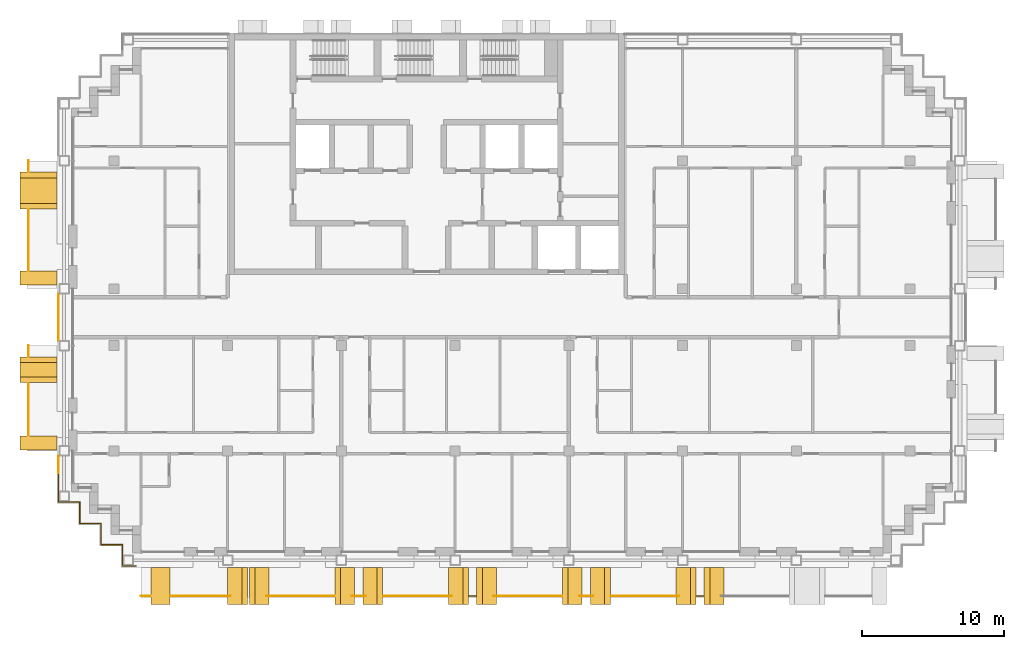
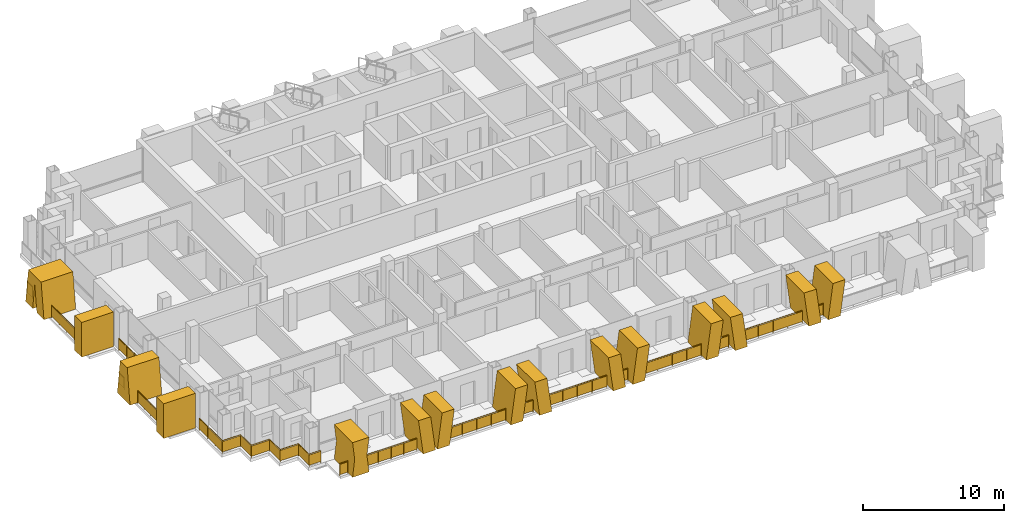
# One storey, part 13 of 16: 17 railings, 15 shading devices.
"""IFC4 building model written with IfcOpenShell, lengths in metres."""

import ifcopenshell
import ifcopenshell.guid

model = None  # the IFC model being written
_history = None  # IfcOwnerHistory: only IFC2X3 demands one
_inside = {}  # id of a spatial element -> (the spatial element, [elements in it])
_under = {}  # id of a project, library or spatial element -> (it, [spatial elements below it])
_declared = {}  # id of a project -> (the project, [libraries it declares])
_typed = {}  # id of a type object -> (the type object, [elements of that type])
_made_of = {}  # id of a material, layer set ... -> (it, [elements and type objects made of it])


def new_model(schema):
    """Start an empty IFC model of exactly this schema.

    Asked for "IFC4X3", IfcOpenShell would pick the latest addendum, in which some entities
    have other attributes; the version numbers below select the first issue.
    IFC2X3 requires an IfcOwnerHistory on every rooted entity: one is made here for all.
    """
    global model, _history
    if schema == "IFC4X3":
        model = ifcopenshell.file(schema_version=(4, 3, 0, 0))
    else:
        model = ifcopenshell.file(schema=schema)
    _inside.clear()
    _under.clear()
    _declared.clear()
    _typed.clear()
    _made_of.clear()
    _history = None
    if model.schema == "IFC2X3":
        org = make("IfcOrganization", Name="unknown")
        user = make(
            "IfcPersonAndOrganization",
            ThePerson=make("IfcPerson", FamilyName="unknown"),
            TheOrganization=org,
        )
        app = make(
            "IfcApplication",
            ApplicationDeveloper=org,
            Version="unknown",
            ApplicationFullName="unknown",
            ApplicationIdentifier="unknown",
        )
        _history = make(
            "IfcOwnerHistory",
            OwningUser=user,
            OwningApplication=app,
            ChangeAction="ADDED",
            CreationDate=0,
        )
    return model


def make(cls, **values):
    """One entity of the class cls with the attributes given. An attribute that is None is left unset."""
    return model.create_entity(
        cls, **{name: value for name, value in values.items() if value is not None}
    )


def rooted(cls, **values):
    """An entity with a GlobalId (a new one), such as an element, a storey or a relation."""
    return make(cls, GlobalId=ifcopenshell.guid.new(), OwnerHistory=_history, **values)


def si_unit(unit_type, name, prefix=None):
    """IfcSIUnit, for example si_unit("LENGTHUNIT", "METRE", prefix="MILLI")."""
    return make("IfcSIUnit", UnitType=unit_type, Prefix=prefix, Name=name)


def assignment(units):
    """IfcUnitAssignment: the units of a project."""
    return None if units is None else make("IfcUnitAssignment", Units=units)


def point(xyz):
    """IfcCartesianPoint."""
    return None if xyz is None else make("IfcCartesianPoint", Coordinates=xyz)


def direction(xyz):
    """IfcDirection."""
    return None if xyz is None else make("IfcDirection", DirectionRatios=xyz)


def frame(location, z_axis=None, x_axis=None):
    """IfcAxis2Placement3D, a coordinate frame: its origin and axes. An axis left out is left unset."""
    return make(
        "IfcAxis2Placement3D",
        Location=point(location),
        Axis=direction(z_axis),
        RefDirection=direction(x_axis),
    )


def frame_2d(location, x_axis=None):
    """IfcAxis2Placement2D, a coordinate frame in the plane: its origin and x axis."""
    return make(
        "IfcAxis2Placement2D", Location=point(location), RefDirection=direction(x_axis)
    )


def origin():
    """The frame at (0, 0, 0) with its axes left unset."""
    return frame((0.0, 0.0, 0.0))


def origin_2d():
    """The frame at (0, 0) in the plane with its x axis left unset."""
    return frame_2d((0.0, 0.0))


def place(relative_to, where):
    """IfcLocalPlacement: puts the frame where relative to a parent placement (None: the world)."""
    return make(
        "IfcLocalPlacement", PlacementRelTo=relative_to, RelativePlacement=where
    )


def context(
    kind, dimensions, precision=None, world=None, true_north=None, identifier=None
):
    """IfcGeometricRepresentationContext, for example the 3D "Model" context."""
    return make(
        "IfcGeometricRepresentationContext",
        ContextIdentifier=identifier,
        ContextType=kind,
        CoordinateSpaceDimension=dimensions,
        Precision=precision,
        WorldCoordinateSystem=world,
        TrueNorth=true_north,
    )


def subcontext(parent, identifier, kind, view, scale=None):
    """IfcGeometricRepresentationSubContext, for example "Body" below "Model"."""
    return make(
        "IfcGeometricRepresentationSubContext",
        ContextIdentifier=identifier,
        ContextType=kind,
        ParentContext=parent,
        TargetScale=scale,
        TargetView=view,
    )


def project(units=None, contexts=None):
    """IfcProject with its units and contexts."""
    return rooted(
        "IfcProject",
        Name="project",
        RepresentationContexts=contexts,
        UnitsInContext=assignment(units),
    )


def spatial(cls, under=None, at=None, **own):
    """A site, building, storey or space (cls), placed at a placement, below another one or the project."""
    s = rooted(cls, ObjectPlacement=at, **own)
    if under is not None:
        _under.setdefault(under.id(), (under, []))[1].append(s)
    return s


def polyline(points):
    """IfcPolyline through the points."""
    return make("IfcPolyline", Points=[point(p) for p in points])


def profile(cls, at=None, kind="AREA", **sizes):
    """A parametric profile (cls). Its sizes go by their IFC names, for example OverallWidth=200.0."""
    return make(cls, ProfileType=kind, Position=at, **sizes)


def rectangle(**sizes):
    """IfcRectangleProfileDef."""
    return profile("IfcRectangleProfileDef", **sizes)


def circle(**sizes):
    """IfcCircleProfileDef."""
    return profile("IfcCircleProfileDef", **sizes)


def outline(outer, holes=None, kind="AREA"):
    """IfcArbitraryClosedProfileDef: a profile drawn as a closed curve; with holes, ...WithVoids."""
    if holes is None:
        return make("IfcArbitraryClosedProfileDef", ProfileType=kind, OuterCurve=outer)
    return make(
        "IfcArbitraryProfileDefWithVoids",
        ProfileType=kind,
        OuterCurve=outer,
        InnerCurves=holes,
    )


def extrude(swept, where, along, depth):
    """IfcExtrudedAreaSolid: the profile swept, set in the frame where, extruded along a direction by depth."""
    return make(
        "IfcExtrudedAreaSolid",
        SweptArea=swept,
        Position=where,
        ExtrudedDirection=direction(along),
        Depth=depth,
    )


def shape(context_of_items, identifier, shape_type, items):
    """IfcShapeRepresentation: the items that make up one representation, for example the "Body"."""
    return make(
        "IfcShapeRepresentation",
        ContextOfItems=context_of_items,
        RepresentationIdentifier=identifier,
        RepresentationType=shape_type,
        Items=items,
    )


def material(Name=None, Category=None):
    """IfcMaterial."""
    return make("IfcMaterial", Name=Name, Category=Category)


def layer(
    of_material, thickness, ventilated=None, Name=None, Category=None, Priority=None
):
    """IfcMaterialLayer: one layer of a wall or slab, of a material (None: an air gap)."""
    return make(
        "IfcMaterialLayer",
        Material=of_material,
        LayerThickness=thickness,
        IsVentilated=ventilated,
        Name=Name,
        Category=Category,
        Priority=Priority,
    )


def layer_set(layers, Name=None):
    """IfcMaterialLayerSet."""
    return make("IfcMaterialLayerSet", MaterialLayers=layers, LayerSetName=Name)


def made_of(thing, what):
    """Note that an element or type object is made of a material, layer set ...; save() writes the relation."""
    if what is not None:
        _made_of.setdefault(what.id(), (what, []))[1].append(thing)
    return thing


def type_object(cls, material=None, **own):
    """A type object (cls), such as IfcWallType, which elements share."""
    return made_of(rooted(cls, **own), material)


def element(
    cls,
    number,
    at=None,
    inside=None,
    cuts=None,
    type_object=None,
    material=None,
    context=None,
    identifier="Body",
    shape_type=None,
    held_by="IfcProductDefinitionShape",
    body=None,
    shapes=None,
    **own,
):
    """One element of the class cls, such as IfcWall. Its Tag is "e" and its number.

    at: its placement. inside: the storey or other place that contains it. cuts: it is an
    opening in that element (IfcRelVoidsElement). A single representation is given by context,
    identifier, shape_type and body (its items); several are given by shapes. held_by: the class
    of the entity that holds the representations. save() writes the other relations.
    """
    e = rooted(cls, Tag="e%d" % number, ObjectPlacement=at, **own)
    if body is not None:
        shapes = [shape(context, identifier, shape_type, body)]
    if shapes is not None:
        e.Representation = make(held_by, Representations=shapes)
    if inside is not None:
        _inside.setdefault(inside.id(), (inside, []))[1].append(e)
    if cuts is not None:
        rooted(
            "IfcRelVoidsElement", RelatingBuildingElement=cuts, RelatedOpeningElement=e
        )
    if type_object is not None:
        _typed.setdefault(type_object.id(), (type_object, []))[1].append(e)
    return made_of(e, material)


def aggregate(whole, parts):
    """IfcRelAggregates: a whole, such as a stair, and the parts it consists of."""
    return rooted("IfcRelAggregates", RelatingObject=whole, RelatedObjects=parts)


def save(model, path):
    """Write the relations noted so far, then the file.

    IfcRelAggregates (storeys below a building ...), IfcRelContainedInSpatialStructure (elements
    in a storey), IfcRelDefinesByType, IfcRelAssociatesMaterial and IfcRelDeclares: one each for
    every whole, place, type object, material and project.
    """
    for whole, parts in _under.values():
        aggregate(whole, parts)
    for where, things in _inside.values():
        rooted(
            "IfcRelContainedInSpatialStructure",
            RelatedElements=things,
            RelatingStructure=where,
        )
    for kind, things in _typed.values():
        rooted("IfcRelDefinesByType", RelatedObjects=things, RelatingType=kind)
    for what, things in _made_of.values():
        rooted("IfcRelAssociatesMaterial", RelatedObjects=things, RelatingMaterial=what)
    for by, libraries in _declared.values():
        rooted("IfcRelDeclares", RelatingContext=by, RelatedDefinitions=libraries)
    model.write(path)


model = new_model("IFC4")

# Units and contexts
model_context = context("Model", 3, precision=1e-05, world=origin(), true_north=direction((0.0, 1.0)))
body_context = subcontext(model_context, "Body", "Model", "MODEL_VIEW")
ifc_project = project(units=[si_unit("LENGTHUNIT", "METRE"), si_unit("AREAUNIT", "SQUARE_METRE"), si_unit("VOLUMEUNIT", "CUBIC_METRE"), si_unit("PLANEANGLEUNIT", "RADIAN"), si_unit("MASSUNIT", "GRAM", prefix="KILO")], contexts=[model_context])

# Site, building, storey
site_placement = place(None, origin())
site = spatial("IfcSite", under=ifc_project, at=site_placement, CompositionType="ELEMENT")
building_placement = place(site_placement, origin())
building = spatial("IfcBuilding", under=site, at=building_placement, Name="Vidyagriha Tower", CompositionType="ELEMENT")
storey_placement = place(building_placement, frame((0.0, 0.0, 171.699951171875)))
storey = spatial("IfcBuildingStorey", under=building, at=storey_placement, Name="L44", CompositionType="ELEMENT", Elevation=171.699951171875)

# Railings
ifc_material_1 = material(Name="Steel ASTM A500 Grade C black painted", Category="steel")
railing_type_1 = type_object("IfcRailingType", Name="Balcony guard 1100", PredefinedType="BALUSTRADE", material=ifc_material_1)
railing_1_placement = place(storey_placement, frame((-28.0, 11.0, 0.0)))
element("IfcRailing", 1, at=railing_1_placement, inside=storey, type_object=railing_type_1, Name="Balcony guard L44 R16.1-1", PredefinedType="BALUSTRADE", context=body_context, shape_type="SweptSolid", body=[
    extrude(circle(Radius=0.02490234375, at=origin_2d()), frame((0.0, 0.0, 1.0751953125), z_axis=(0.0, -1.0, 0.0), x_axis=(1.0, 0.0, 0.0)), (0.0, 0.0, 1.0), 0.75),
    extrude(circle(Radius=0.02001953125, at=origin_2d()), origin(), (0.0, 0.0, 1.0), 1.050048828125),
    extrude(circle(Radius=0.02001953125, at=origin_2d()), frame((0.0, -0.75, 0.0)), (0.0, 0.0, 1.0), 1.050048828125),
    extrude(rectangle(XDim=0.010009765625, YDim=0.900146484375, at=origin_2d()), frame((0.0, 0.0, 0.550048828125), z_axis=(0.0, -1.0, 0.0), x_axis=(1.0, 0.0, 0.0)), (0.0, 0.0, 1.0), 0.75),
])
railing_2_placement = place(storey_placement, frame((-28.0, 7.550048828125, 0.0)))
element("IfcRailing", 2, at=railing_2_placement, inside=storey, type_object=railing_type_1, Name="Balcony guard L44 R16.1-2", PredefinedType="BALUSTRADE", context=body_context, shape_type="SweptSolid", body=[
    extrude(circle(Radius=0.02490234375, at=origin_2d()), frame((0.0, 0.0, 1.0751953125), z_axis=(0.0, -1.0, 0.0), x_axis=(1.0, 0.0, 0.0)), (0.0, 0.0, 1.0), 4.25),
    extrude(circle(Radius=0.02001953125, at=origin_2d()), origin(), (0.0, 0.0, 1.0), 1.050048828125),
    extrude(circle(Radius=0.02001953125, at=origin_2d()), frame((0.0, -1.0625, 0.0)), (0.0, 0.0, 1.0), 1.050048828125),
    extrude(circle(Radius=0.02001953125, at=origin_2d()), frame((0.0, -2.125, 0.0)), (0.0, 0.0, 1.0), 1.050048828125),
    extrude(circle(Radius=0.02001953125, at=origin_2d()), frame((0.0, -3.1875, 0.0)), (0.0, 0.0, 1.0), 1.050048828125),
    extrude(circle(Radius=0.02001953125, at=origin_2d()), frame((0.0, -4.25, 0.0)), (0.0, 0.0, 1.0), 1.050048828125),
    extrude(rectangle(XDim=0.010009765625, YDim=0.900146484375, at=origin_2d()), frame((0.0, 0.0, 0.550048828125), z_axis=(0.0, -1.0, 0.0), x_axis=(1.0, 0.0, 0.0)), (0.0, 0.0, 1.0), 4.25),
])
railing_3_placement = place(storey_placement, frame((-28.0, -2.0, 0.0)))
element("IfcRailing", 3, at=railing_3_placement, inside=storey, type_object=railing_type_1, Name="Balcony guard L44 R16.2-1", PredefinedType="BALUSTRADE", context=body_context, shape_type="SweptSolid", body=[
    extrude(circle(Radius=0.02490234375, at=origin_2d()), frame((0.0, 0.0, 1.0751953125), z_axis=(0.0, -1.0, 0.0), x_axis=(1.0, 0.0, 0.0)), (0.0, 0.0, 1.0), 0.75),
    extrude(circle(Radius=0.02001953125, at=origin_2d()), origin(), (0.0, 0.0, 1.0), 1.050048828125),
    extrude(circle(Radius=0.02001953125, at=origin_2d()), frame((0.0, -0.75, 0.0)), (0.0, 0.0, 1.0), 1.050048828125),
    extrude(rectangle(XDim=0.010009765625, YDim=0.900146484375, at=origin_2d()), frame((0.0, 0.0, 0.550048828125), z_axis=(0.0, -1.0, 0.0), x_axis=(1.0, 0.0, 0.0)), (0.0, 0.0, 1.0), 0.75),
])
railing_4_placement = place(storey_placement, frame((-28.0, -4.64990234375, 0.0)))
element("IfcRailing", 4, at=railing_4_placement, inside=storey, type_object=railing_type_1, Name="Balcony guard L44 R16.2-2", PredefinedType="BALUSTRADE", context=body_context, shape_type="SweptSolid", body=[
    extrude(circle(Radius=0.02490234375, at=origin_2d()), frame((0.0, 0.0, 1.0751953125), z_axis=(0.0, -1.0, 0.0), x_axis=(1.0, 0.0, 0.0)), (0.0, 0.0, 1.0), 3.650146484375),
    extrude(circle(Radius=0.02001953125, at=origin_2d()), origin(), (0.0, 0.0, 1.0), 1.050048828125),
    extrude(circle(Radius=0.02001953125, at=origin_2d()), frame((0.0, -0.91259765625, 0.0)), (0.0, 0.0, 1.0), 1.050048828125),
    extrude(circle(Radius=0.02001953125, at=origin_2d()), frame((0.0, -1.8251953125, 0.0)), (0.0, 0.0, 1.0), 1.050048828125),
    extrude(circle(Radius=0.02001953125, at=origin_2d()), frame((0.0, -2.737548828125, 0.0)), (0.0, 0.0, 1.0), 1.050048828125),
    extrude(circle(Radius=0.02001953125, at=origin_2d()), frame((0.0, -3.650146484375, 0.0)), (0.0, 0.0, 1.0), 1.050048828125),
    extrude(rectangle(XDim=0.010009765625, YDim=0.900146484375, at=origin_2d()), frame((0.0, 0.0, 0.550048828125), z_axis=(0.0, -1.0, 0.0), x_axis=(1.0, 0.0, 0.0)), (0.0, 0.0, 1.0), 3.650146484375),
])
railing_5_placement = place(storey_placement, frame((-20.10009765625, -19.60009765625, 0.0)))
element("IfcRailing", 5, at=railing_5_placement, inside=storey, type_object=railing_type_1, Name="Balcony guard L44 R23.1-1", PredefinedType="BALUSTRADE", context=body_context, shape_type="SweptSolid", body=[
    extrude(circle(Radius=0.02490234375, at=origin_2d()), frame((0.0, 0.0, 1.0751953125), z_axis=(1.0, 0.0, 0.0), x_axis=(0.0, 1.0, 0.0)), (0.0, 0.0, 1.0), 0.650146484375),
    extrude(circle(Radius=0.02001953125, at=origin_2d()), origin(), (0.0, 0.0, 1.0), 1.050048828125),
    extrude(circle(Radius=0.02001953125, at=origin_2d()), frame((0.650146484375, 0.0, 0.0)), (0.0, 0.0, 1.0), 1.050048828125),
    extrude(rectangle(XDim=0.010009765625, YDim=0.900146484375, at=origin_2d()), frame((0.0, 0.0, 0.550048828125), z_axis=(1.0, 0.0, 0.0), x_axis=(0.0, 1.0, 0.0)), (0.0, 0.0, 1.0), 0.650146484375),
])
railing_6_placement = place(storey_placement, frame((-18.0, -19.60009765625, 0.0)))
element("IfcRailing", 6, at=railing_6_placement, inside=storey, type_object=railing_type_1, Name="Balcony guard L44 R23.1-2", PredefinedType="BALUSTRADE", context=body_context, shape_type="SweptSolid", body=[
    extrude(circle(Radius=0.02490234375, at=origin_2d()), frame((0.0, 0.0, 1.0751953125), z_axis=(1.0, 0.0, 0.0), x_axis=(0.0, 1.0, 0.0)), (0.0, 0.0, 1.0), 4.185302734375),
    extrude(circle(Radius=0.02001953125, at=origin_2d()), origin(), (0.0, 0.0, 1.0), 1.050048828125),
    extrude(circle(Radius=0.02001953125, at=origin_2d()), frame((1.04638671875, 0.0, 0.0)), (0.0, 0.0, 1.0), 1.050048828125),
    extrude(circle(Radius=0.02001953125, at=origin_2d()), frame((2.0927734375, 0.0, 0.0)), (0.0, 0.0, 1.0), 1.050048828125),
    extrude(circle(Radius=0.02001953125, at=origin_2d()), frame((3.138916015625, 0.0, 0.0)), (0.0, 0.0, 1.0), 1.050048828125),
    extrude(circle(Radius=0.02001953125, at=origin_2d()), frame((4.185302734375, 0.0, 0.0)), (0.0, 0.0, 1.0), 1.050048828125),
    extrude(rectangle(XDim=0.010009765625, YDim=0.900146484375, at=origin_2d()), frame((0.0, 0.0, 0.550048828125), z_axis=(1.0, 0.0, 0.0), x_axis=(0.0, 1.0, 0.0)), (0.0, 0.0, 1.0), 4.185302734375),
])
railing_7_placement = place(storey_placement, frame((-11.26025390625, -19.60009765625, 0.0)))
element("IfcRailing", 7, at=railing_7_placement, inside=storey, type_object=railing_type_1, Name="Balcony guard L44 R23.1-3", PredefinedType="BALUSTRADE", context=body_context, shape_type="SweptSolid", body=[
    extrude(circle(Radius=0.02490234375, at=origin_2d()), frame((0.0, 0.0, 1.0751953125), z_axis=(1.0, 0.0, 0.0), x_axis=(0.0, 1.0, 0.0)), (0.0, 0.0, 1.0), 4.750244140625),
    extrude(circle(Radius=0.02001953125, at=origin_2d()), origin(), (0.0, 0.0, 1.0), 1.050048828125),
    extrude(circle(Radius=0.02001953125, at=origin_2d()), frame((1.1875, 0.0, 0.0)), (0.0, 0.0, 1.0), 1.050048828125),
    extrude(circle(Radius=0.02001953125, at=origin_2d()), frame((2.375, 0.0, 0.0)), (0.0, 0.0, 1.0), 1.050048828125),
    extrude(circle(Radius=0.02001953125, at=origin_2d()), frame((3.562744140625, 0.0, 0.0)), (0.0, 0.0, 1.0), 1.050048828125),
    extrude(circle(Radius=0.02001953125, at=origin_2d()), frame((4.750244140625, 0.0, 0.0)), (0.0, 0.0, 1.0), 1.050048828125),
    extrude(rectangle(XDim=0.010009765625, YDim=0.900146484375, at=origin_2d()), frame((0.0, 0.0, 0.550048828125), z_axis=(1.0, 0.0, 0.0), x_axis=(0.0, 1.0, 0.0)), (0.0, 0.0, 1.0), 4.750244140625),
])
railing_8_placement = place(storey_placement, frame((-5.258544921875, -19.60009765625, 0.0)))
element("IfcRailing", 8, at=railing_8_placement, inside=storey, type_object=railing_type_1, Name="Balcony guard L44 R23.1-4", PredefinedType="BALUSTRADE", context=body_context, shape_type="SweptSolid", body=[
    extrude(circle(Radius=0.02490234375, at=origin_2d()), frame((0.0, 0.0, 1.0751953125), z_axis=(1.0, 0.0, 0.0), x_axis=(0.0, 1.0, 0.0)), (0.0, 0.0, 1.0), 0.967041015625),
    extrude(circle(Radius=0.02001953125, at=origin_2d()), origin(), (0.0, 0.0, 1.0), 1.050048828125),
    extrude(circle(Radius=0.02001953125, at=origin_2d()), frame((0.967041015625, 0.0, 0.0)), (0.0, 0.0, 1.0), 1.050048828125),
    extrude(rectangle(XDim=0.010009765625, YDim=0.900146484375, at=origin_2d()), frame((0.0, 0.0, 0.550048828125), z_axis=(1.0, 0.0, 0.0), x_axis=(0.0, 1.0, 0.0)), (0.0, 0.0, 1.0), 0.967041015625),
])
railing_9_placement = place(storey_placement, frame((-3.0400390625, -19.60009765625, 0.0)))
element("IfcRailing", 9, at=railing_9_placement, inside=storey, type_object=railing_type_1, Name="Balcony guard L44 R23.1-5", PredefinedType="BALUSTRADE", context=body_context, shape_type="SweptSolid", body=[
    extrude(circle(Radius=0.02490234375, at=origin_2d()), frame((0.0, 0.0, 1.0751953125), z_axis=(1.0, 0.0, 0.0), x_axis=(0.0, 1.0, 0.0)), (0.0, 0.0, 1.0), 4.773681640625),
    extrude(circle(Radius=0.02001953125, at=origin_2d()), origin(), (0.0, 0.0, 1.0), 1.050048828125),
    extrude(circle(Radius=0.02001953125, at=origin_2d()), frame((1.193359375, 0.0, 0.0)), (0.0, 0.0, 1.0), 1.050048828125),
    extrude(circle(Radius=0.02001953125, at=origin_2d()), frame((2.38671875, 0.0, 0.0)), (0.0, 0.0, 1.0), 1.050048828125),
    extrude(circle(Radius=0.02001953125, at=origin_2d()), frame((3.580322265625, 0.0, 0.0)), (0.0, 0.0, 1.0), 1.050048828125),
    extrude(circle(Radius=0.02001953125, at=origin_2d()), frame((4.773681640625, 0.0, 0.0)), (0.0, 0.0, 1.0), 1.050048828125),
    extrude(rectangle(XDim=0.010009765625, YDim=0.900146484375, at=origin_2d()), frame((0.0, 0.0, 0.550048828125), z_axis=(1.0, 0.0, 0.0), x_axis=(0.0, 1.0, 0.0)), (0.0, 0.0, 1.0), 4.773681640625),
])
railing_10_placement = place(storey_placement, frame((2.985107421875, -19.60009765625, 0.0)))
element("IfcRailing", 10, at=railing_10_placement, inside=storey, type_object=railing_type_1, Name="Balcony guard L44 R23.1-6", PredefinedType="BALUSTRADE", context=body_context, shape_type="SweptSolid", body=[
    extrude(circle(Radius=0.02490234375, at=origin_2d()), frame((0.0, 0.0, 1.0751953125), z_axis=(1.0, 0.0, 0.0), x_axis=(0.0, 1.0, 0.0)), (0.0, 0.0, 1.0), 0.47998046875),
    extrude(circle(Radius=0.02001953125, at=origin_2d()), origin(), (0.0, 0.0, 1.0), 1.050048828125),
    extrude(circle(Radius=0.02001953125, at=origin_2d()), frame((0.47998046875, 0.0, 0.0)), (0.0, 0.0, 1.0), 1.050048828125),
    extrude(rectangle(XDim=0.010009765625, YDim=0.900146484375, at=origin_2d()), frame((0.0, 0.0, 0.550048828125), z_axis=(1.0, 0.0, 0.0), x_axis=(0.0, 1.0, 0.0)), (0.0, 0.0, 1.0), 0.47998046875),
])
railing_11_placement = place(storey_placement, frame((4.71630859375, -19.60009765625, 0.0)))
element("IfcRailing", 11, at=railing_11_placement, inside=storey, type_object=railing_type_1, Name="Balcony guard L44 R23.1-7", PredefinedType="BALUSTRADE", context=body_context, shape_type="SweptSolid", body=[
    extrude(circle(Radius=0.02490234375, at=origin_2d()), frame((0.0, 0.0, 1.0751953125), z_axis=(1.0, 0.0, 0.0), x_axis=(0.0, 1.0, 0.0)), (0.0, 0.0, 1.0), 4.773681640625),
    extrude(circle(Radius=0.02001953125, at=origin_2d()), origin(), (0.0, 0.0, 1.0), 1.050048828125),
    extrude(circle(Radius=0.02001953125, at=origin_2d()), frame((1.193359375, 0.0, 0.0)), (0.0, 0.0, 1.0), 1.050048828125),
    extrude(circle(Radius=0.02001953125, at=origin_2d()), frame((2.38671875, 0.0, 0.0)), (0.0, 0.0, 1.0), 1.050048828125),
    extrude(circle(Radius=0.02001953125, at=origin_2d()), frame((3.580322265625, 0.0, 0.0)), (0.0, 0.0, 1.0), 1.050048828125),
    extrude(circle(Radius=0.02001953125, at=origin_2d()), frame((4.773681640625, 0.0, 0.0)), (0.0, 0.0, 1.0), 1.050048828125),
    extrude(rectangle(XDim=0.010009765625, YDim=0.900146484375, at=origin_2d()), frame((0.0, 0.0, 0.550048828125), z_axis=(1.0, 0.0, 0.0), x_axis=(0.0, 1.0, 0.0)), (0.0, 0.0, 1.0), 4.773681640625),
])
railing_12_placement = place(storey_placement, frame((10.741455078125, -19.60009765625, 0.0)))
element("IfcRailing", 12, at=railing_12_placement, inside=storey, type_object=railing_type_1, Name="Balcony guard L44 R23.1-8", PredefinedType="BALUSTRADE", context=body_context, shape_type="SweptSolid", body=[
    extrude(circle(Radius=0.02490234375, at=origin_2d()), frame((0.0, 0.0, 1.0751953125), z_axis=(1.0, 0.0, 0.0), x_axis=(0.0, 1.0, 0.0)), (0.0, 0.0, 1.0), 0.967041015625),
    extrude(circle(Radius=0.02001953125, at=origin_2d()), origin(), (0.0, 0.0, 1.0), 1.050048828125),
    extrude(circle(Radius=0.02001953125, at=origin_2d()), frame((0.967041015625, 0.0, 0.0)), (0.0, 0.0, 1.0), 1.050048828125),
    extrude(rectangle(XDim=0.010009765625, YDim=0.900146484375, at=origin_2d()), frame((0.0, 0.0, 0.550048828125), z_axis=(1.0, 0.0, 0.0), x_axis=(0.0, 1.0, 0.0)), (0.0, 0.0, 1.0), 0.967041015625),
])
railing_13_placement = place(storey_placement, frame((12.9599609375, -19.60009765625, 0.0)))
element("IfcRailing", 13, at=railing_13_placement, inside=storey, type_object=railing_type_1, Name="Balcony guard L44 R23.1-9", PredefinedType="BALUSTRADE", context=body_context, shape_type="SweptSolid", body=[
    extrude(circle(Radius=0.02490234375, at=origin_2d()), frame((0.0, 0.0, 1.0751953125), z_axis=(1.0, 0.0, 0.0), x_axis=(0.0, 1.0, 0.0)), (0.0, 0.0, 1.0), 4.773681640625),
    extrude(circle(Radius=0.02001953125, at=origin_2d()), origin(), (0.0, 0.0, 1.0), 1.050048828125),
    extrude(circle(Radius=0.02001953125, at=origin_2d()), frame((1.193359375, 0.0, 0.0)), (0.0, 0.0, 1.0), 1.050048828125),
    extrude(circle(Radius=0.02001953125, at=origin_2d()), frame((2.38671875, 0.0, 0.0)), (0.0, 0.0, 1.0), 1.050048828125),
    extrude(circle(Radius=0.02001953125, at=origin_2d()), frame((3.580322265625, 0.0, 0.0)), (0.0, 0.0, 1.0), 1.050048828125),
    extrude(circle(Radius=0.02001953125, at=origin_2d()), frame((4.773681640625, 0.0, 0.0)), (0.0, 0.0, 1.0), 1.050048828125),
    extrude(rectangle(XDim=0.010009765625, YDim=0.900146484375, at=origin_2d()), frame((0.0, 0.0, 0.550048828125), z_axis=(1.0, 0.0, 0.0), x_axis=(0.0, 1.0, 0.0)), (0.0, 0.0, 1.0), 4.773681640625),
])
railing_14_placement = place(storey_placement, frame((18.985107421875, -19.60009765625, 0.0)))
element("IfcRailing", 14, at=railing_14_placement, inside=storey, type_object=railing_type_1, Name="Balcony guard L44 R23.1-10", PredefinedType="BALUSTRADE", context=body_context, shape_type="SweptSolid", body=[
    extrude(circle(Radius=0.02490234375, at=origin_2d()), frame((0.0, 0.0, 1.0751953125), z_axis=(1.0, 0.0, 0.0), x_axis=(0.0, 1.0, 0.0)), (0.0, 0.0, 1.0), 0.47998046875),
    extrude(circle(Radius=0.02001953125, at=origin_2d()), origin(), (0.0, 0.0, 1.0), 1.050048828125),
    extrude(circle(Radius=0.02001953125, at=origin_2d()), frame((0.47998046875, 0.0, 0.0)), (0.0, 0.0, 1.0), 1.050048828125),
    extrude(rectangle(XDim=0.010009765625, YDim=0.900146484375, at=origin_2d()), frame((0.0, 0.0, 0.550048828125), z_axis=(1.0, 0.0, 0.0), x_axis=(0.0, 1.0, 0.0)), (0.0, 0.0, 1.0), 0.47998046875),
])

# Shading devices
ifc_material_2 = material(Name="Precast concrete C40/50 with buff brick facing", Category="concrete")
ifc_layer_1 = layer(ifc_material_2, 1.0)
ifc_layer_set_1 = layer_set([ifc_layer_1], Name="Precast concrete C40/50 with buff brick facing")
shading_device_type_1 = type_object("IfcShadingDeviceType", Name="Brick-faced blade fin arm leaning 8 degrees", PredefinedType="USERDEFINED", material=ifc_layer_set_1)
shading_device_1_placement = place(storey_placement, frame((-12.458251953125, -18.89990234375, 0.0)))
element("IfcShadingDevice", 15, at=shading_device_1_placement, inside=storey, type_object=shading_device_type_1, Name="Leaning blade fin L44 R23.610a", ObjectType="BLADE FIN", PredefinedType="USERDEFINED", context=body_context, shape_type="SweptSolid", body=[
    extrude(outline(polyline([(0.0, 0.0), (1.0, 0.0), (1.385986328125, 3.0), (0.385986328125, 3.0), (0.0, 0.0)])), frame((0.0, 1.300048828125, 0.0), z_axis=(0.0, -1.0, 0.0), x_axis=(1.0, 0.0, 0.0)), (0.0, 0.0, 1.0), 2.60009765625),
])
shading_device_2_placement = place(storey_placement, frame((-14.002685546875, -18.89990234375, 0.0)))
element("IfcShadingDevice", 16, at=shading_device_2_placement, inside=storey, type_object=shading_device_type_1, Name="Leaning blade fin L44 R23.610b", ObjectType="BLADE FIN", PredefinedType="USERDEFINED", context=body_context, shape_type="SweptSolid", body=[
    extrude(outline(polyline([(0.385986328125, 0.0), (1.385986328125, 0.0), (1.0, 3.0), (0.0, 3.0), (0.385986328125, 0.0)])), frame((0.0, 1.300048828125, 0.0), z_axis=(0.0, -1.0, 0.0), x_axis=(1.0, 0.0, 0.0)), (0.0, 0.0, 1.0), 2.60009765625),
])
shading_device_3_placement = place(storey_placement, frame((-6.4599609375, -18.89990234375, 0.0)))
element("IfcShadingDevice", 17, at=shading_device_3_placement, inside=storey, type_object=shading_device_type_1, Name="Leaning blade fin L44 R23.1410a", ObjectType="BLADE FIN", PredefinedType="USERDEFINED", context=body_context, shape_type="SweptSolid", body=[
    extrude(outline(polyline([(0.0, 0.0), (1.0, 0.0), (1.39501953125, 3.0), (0.39501953125, 3.0), (0.0, 0.0)])), frame((0.0, 1.300048828125, 0.0), z_axis=(0.0, -1.0, 0.0), x_axis=(1.0, 0.0, 0.0)), (0.0, 0.0, 1.0), 2.60009765625),
])
shading_device_4_placement = place(storey_placement, frame((-4.485107421875, -18.89990234375, 0.0)))
element("IfcShadingDevice", 18, at=shading_device_4_placement, inside=storey, type_object=shading_device_type_1, Name="Leaning blade fin L44 R23.1410b", ObjectType="BLADE FIN", PredefinedType="USERDEFINED", context=body_context, shape_type="SweptSolid", body=[
    extrude(outline(polyline([(0.39501953125, 0.0), (1.39501953125, 0.0), (1.0, 3.0), (0.0, 3.0), (0.39501953125, 0.0)])), frame((0.0, 1.300048828125, 0.0), z_axis=(0.0, -1.0, 0.0), x_axis=(1.0, 0.0, 0.0)), (0.0, 0.0, 1.0), 2.60009765625),
])
shading_device_5_placement = place(storey_placement, frame((3.514892578125, -18.89990234375, 0.0)))
element("IfcShadingDevice", 19, at=shading_device_5_placement, inside=storey, type_object=shading_device_type_1, Name="Leaning blade fin L44 R23.2210a", ObjectType="BLADE FIN", PredefinedType="USERDEFINED", context=body_context, shape_type="SweptSolid", body=[
    extrude(outline(polyline([(0.0, 0.0), (1.0, 0.0), (1.39501953125, 3.0), (0.39501953125, 3.0), (0.0, 0.0)])), frame((0.0, 1.300048828125, 0.0), z_axis=(0.0, -1.0, 0.0), x_axis=(1.0, 0.0, 0.0)), (0.0, 0.0, 1.0), 2.60009765625),
])
shading_device_6_placement = place(storey_placement, frame((1.5400390625, -18.89990234375, 0.0)))
element("IfcShadingDevice", 20, at=shading_device_6_placement, inside=storey, type_object=shading_device_type_1, Name="Leaning blade fin L44 R23.2210b", ObjectType="BLADE FIN", PredefinedType="USERDEFINED", context=body_context, shape_type="SweptSolid", body=[
    extrude(outline(polyline([(0.39501953125, 0.0), (1.39501953125, 0.0), (1.0, 3.0), (0.0, 3.0), (0.39501953125, 0.0)])), frame((0.0, 1.300048828125, 0.0), z_axis=(0.0, -1.0, 0.0), x_axis=(1.0, 0.0, 0.0)), (0.0, 0.0, 1.0), 2.60009765625),
])
shading_device_7_placement = place(storey_placement, frame((9.5400390625, -18.89990234375, 0.0)))
element("IfcShadingDevice", 21, at=shading_device_7_placement, inside=storey, type_object=shading_device_type_1, Name="Leaning blade fin L44 R23.3010a", ObjectType="BLADE FIN", PredefinedType="USERDEFINED", context=body_context, shape_type="SweptSolid", body=[
    extrude(outline(polyline([(0.0, 0.0), (1.0, 0.0), (1.39501953125, 3.0), (0.39501953125, 3.0), (0.0, 0.0)])), frame((0.0, 1.300048828125, 0.0), z_axis=(0.0, -1.0, 0.0), x_axis=(1.0, 0.0, 0.0)), (0.0, 0.0, 1.0), 2.60009765625),
])
shading_device_8_placement = place(storey_placement, frame((11.514892578125, -18.89990234375, 0.0)))
element("IfcShadingDevice", 22, at=shading_device_8_placement, inside=storey, type_object=shading_device_type_1, Name="Leaning blade fin L44 R23.3010b", ObjectType="BLADE FIN", PredefinedType="USERDEFINED", context=body_context, shape_type="SweptSolid", body=[
    extrude(outline(polyline([(0.39501953125, 0.0), (1.39501953125, 0.0), (1.0, 3.0), (0.0, 3.0), (0.39501953125, 0.0)])), frame((0.0, 1.300048828125, 0.0), z_axis=(0.0, -1.0, 0.0), x_axis=(1.0, 0.0, 0.0)), (0.0, 0.0, 1.0), 2.60009765625),
])
shading_device_9_placement = place(storey_placement, frame((19.514892578125, -18.89990234375, 0.0)))
element("IfcShadingDevice", 23, at=shading_device_9_placement, inside=storey, type_object=shading_device_type_1, Name="Leaning blade fin L44 R23.3810a", ObjectType="BLADE FIN", PredefinedType="USERDEFINED", context=body_context, shape_type="SweptSolid", body=[
    extrude(outline(polyline([(0.0, 0.0), (1.0, 0.0), (1.39501953125, 3.0), (0.39501953125, 3.0), (0.0, 0.0)])), frame((0.0, 1.300048828125, 0.0), z_axis=(0.0, -1.0, 0.0), x_axis=(1.0, 0.0, 0.0)), (0.0, 0.0, 1.0), 2.60009765625),
])
shading_device_10_placement = place(storey_placement, frame((17.5400390625, -18.89990234375, 0.0)))
element("IfcShadingDevice", 24, at=shading_device_10_placement, inside=storey, type_object=shading_device_type_1, Name="Leaning blade fin L44 R23.3810b", ObjectType="BLADE FIN", PredefinedType="USERDEFINED", context=body_context, shape_type="SweptSolid", body=[
    extrude(outline(polyline([(0.39501953125, 0.0), (1.39501953125, 0.0), (1.0, 3.0), (0.0, 3.0), (0.39501953125, 0.0)])), frame((0.0, 1.300048828125, 0.0), z_axis=(0.0, -1.0, 0.0), x_axis=(1.0, 0.0, 0.0)), (0.0, 0.0, 1.0), 2.60009765625),
])
ifc_material_3 = material(Name="Precast concrete C40/50 with buff brick facing", Category="concrete")
ifc_layer_2 = layer(ifc_material_3, 1.0)
ifc_layer_set_2 = layer_set([ifc_layer_2], Name="Precast concrete C40/50 with buff brick facing")
shading_device_type_2 = type_object("IfcShadingDeviceType", Name="Brick-faced blade fin forking 8 degrees", PredefinedType="USERDEFINED", material=ifc_layer_set_2)
shading_device_11_placement = place(storey_placement, frame((-27.300048828125, 10.199951171875, 0.0), z_axis=(0.0, 0.0, 1.0), x_axis=(0.0, -1.0, 0.0)))
element("IfcShadingDevice", 25, at=shading_device_11_placement, inside=storey, type_object=shading_device_type_2, Name="Forked blade fin L44 R16.310a", ObjectType="BLADE FIN", PredefinedType="USERDEFINED", context=body_context, shape_type="SweptSolid", body=[
    extrude(outline(polyline([(1.0, 0.0), (1.300048828125, 2.25), (1.60009765625, 0.0), (2.60009765625, 0.0), (2.199951171875, 3.0), (0.39990234375, 3.0), (0.0, 0.0), (1.0, 0.0)])), frame((0.0, 1.300048828125, 0.0), z_axis=(0.0, -1.0, 0.0), x_axis=(1.0, 0.0, 0.0)), (0.0, 0.0, 1.0), 2.60009765625),
])
shading_device_12_placement = place(storey_placement, frame((-27.300048828125, -2.800048828125, 0.0), z_axis=(0.0, 0.0, 1.0), x_axis=(0.0, -1.0, 0.0)))
element("IfcShadingDevice", 26, at=shading_device_12_placement, inside=storey, type_object=shading_device_type_2, Name="Forked blade fin L44 R16.1610a", ObjectType="BLADE FIN", PredefinedType="USERDEFINED", context=body_context, shape_type="SweptSolid", body=[
    extrude(outline(polyline([(0.0, 0.0), (1.800048828125, 0.0), (1.39990234375, 3.0), (0.39990234375, 3.0), (0.0, 0.0)])), frame((0.0, 1.300048828125, 0.0), z_axis=(0.0, -1.0, 0.0), x_axis=(1.0, 0.0, 0.0)), (0.0, 0.0, 1.0), 2.60009765625),
])
shading_device_13_placement = place(storey_placement, frame((-19.39990234375, -18.89990234375, 0.0)))
element("IfcShadingDevice", 27, at=shading_device_13_placement, inside=storey, type_object=shading_device_type_2, Name="Forked blade fin L44 R23.0a", ObjectType="BLADE FIN", PredefinedType="USERDEFINED", context=body_context, shape_type="SweptSolid", body=[
    extrude(outline(polyline([(0.0, 0.0), (1.35009765625, 0.0), (1.175048828125, 1.5), (1.35009765625, 3.0), (0.0, 3.0), (0.175048828125, 1.5), (0.0, 0.0)])), frame((0.0, 1.300048828125, 0.0), z_axis=(0.0, -1.0, 0.0), x_axis=(1.0, 0.0, 0.0)), (0.0, 0.0, 1.0), 2.60009765625),
])
ifc_material_4 = material(Name="Precast concrete C40/50 with buff brick facing", Category="concrete")
ifc_layer_3 = layer(ifc_material_4, 1.0)
ifc_layer_set_3 = layer_set([ifc_layer_3], Name="Precast concrete C40/50 with buff brick facing")
shading_device_type_3 = type_object("IfcShadingDeviceType", Name="Brick-faced blade fin stem 1000", PredefinedType="USERDEFINED", material=ifc_layer_set_3)
for number, where, z_axis, x_axis, name in (
    (28, (-27.300048828125, 3.25, 0.0), (0.0, 0.0, 1.0), (0.0, -1.0, 0.0), "Stem blade fin L44 R16.1210a"),
    (29, (-27.300048828125, -8.35009765625, 0.0), (0.0, 0.0, 1.0), (0.0, -1.0, 0.0), "Stem blade fin L44 R16.2350a"),
):
    element("IfcShadingDevice", number, at=place(storey_placement, frame(where, z_axis=z_axis, x_axis=x_axis)), inside=storey, type_object=shading_device_type_3, Name=name, ObjectType="BLADE FIN", PredefinedType="USERDEFINED", context=body_context, shape_type="SweptSolid", body=[
        extrude(outline(polyline([(0.0, 0.0), (1.0, 0.0), (1.0, 3.0), (0.0, 3.0), (0.0, 0.0)])), frame((0.0, 1.300048828125, 0.0), z_axis=(0.0, -1.0, 0.0), x_axis=(1.0, 0.0, 0.0)), (0.0, 0.0, 1.0), 2.60009765625),
    ])

# Railings
ifc_material_5 = material(Name="Steel ASTM A500 Grade C black painted", Category="steel")
railing_type_2 = type_object("IfcRailingType", Name="Gallery guard 1100", PredefinedType="GUARDRAIL", material=ifc_material_5)
railing_15_placement = place(storey_placement, frame((-20.4599609375, -17.5, 0.0)))
element("IfcRailing", 30, at=railing_15_placement, inside=storey, type_object=railing_type_2, Name="Gallery guard L44 1", PredefinedType="GUARDRAIL", context=body_context, shape_type="SweptSolid", body=[
    extrude(circle(Radius=0.02490234375, at=origin_2d()), frame((0.0, 0.0, 1.0751953125), z_axis=(-1.0, 0.0, 0.0), x_axis=(0.0, -1.0, 0.0)), (0.0, 0.0, 1.0), 0.93994140625),
    extrude(circle(Radius=0.02490234375, at=origin_2d()), frame((-0.93994140625, 0.0, 1.0751953125), z_axis=(0.0, 1.0, 0.0), x_axis=(-1.0, 0.0, 0.0)), (0.0, 0.0, 1.0), 1.5),
    extrude(circle(Radius=0.02490234375, at=origin_2d()), frame((-0.93994140625, 1.5, 1.0751953125), z_axis=(-1.0, 0.0, 0.0), x_axis=(0.0, -1.0, 0.0)), (0.0, 0.0, 1.0), 1.5),
    extrude(circle(Radius=0.02490234375, at=origin_2d()), frame((-2.43994140625, 1.5, 1.0751953125), z_axis=(0.0, 1.0, 0.0), x_axis=(-1.0, 0.0, 0.0)), (0.0, 0.0, 1.0), 1.5),
    extrude(circle(Radius=0.02490234375, at=origin_2d()), frame((-2.43994140625, 3.0, 1.0751953125), z_axis=(-1.0, 0.0, 0.0), x_axis=(0.0, -1.0, 0.0)), (0.0, 0.0, 1.0), 1.5),
    extrude(circle(Radius=0.02490234375, at=origin_2d()), frame((-3.93994140625, 3.0, 1.0751953125), z_axis=(0.0, 1.0, 0.0), x_axis=(-1.0, 0.0, 0.0)), (0.0, 0.0, 1.0), 1.5),
    extrude(circle(Radius=0.02490234375, at=origin_2d()), frame((-3.93994140625, 4.5, 1.0751953125), z_axis=(-1.0, 0.0, 0.0), x_axis=(0.0, -1.0, 0.0)), (0.0, 0.0, 1.0), 1.5),
    extrude(circle(Radius=0.02490234375, at=origin_2d()), frame((-5.43994140625, 4.5, 1.0751953125), z_axis=(0.0, 1.0, 0.0), x_axis=(-1.0, 0.0, 0.0)), (0.0, 0.0, 1.0), 2.06005859375),
    extrude(circle(Radius=0.02001953125, at=origin_2d()), origin(), (0.0, 0.0, 1.0), 1.050048828125),
    extrude(circle(Radius=0.02001953125, at=origin_2d()), frame((-0.93994140625, 0.0, 0.0)), (0.0, 0.0, 1.0), 1.050048828125),
    extrude(circle(Radius=0.02001953125, at=origin_2d()), frame((-0.93994140625, 1.5, 0.0)), (0.0, 0.0, 1.0), 1.050048828125),
    extrude(circle(Radius=0.02001953125, at=origin_2d()), frame((-2.43994140625, 1.5, 0.0)), (0.0, 0.0, 1.0), 1.050048828125),
    extrude(circle(Radius=0.02001953125, at=origin_2d()), frame((-2.43994140625, 3.0, 0.0)), (0.0, 0.0, 1.0), 1.050048828125),
    extrude(circle(Radius=0.02001953125, at=origin_2d()), frame((-3.93994140625, 3.0, 0.0)), (0.0, 0.0, 1.0), 1.050048828125),
    extrude(circle(Radius=0.02001953125, at=origin_2d()), frame((-3.93994140625, 4.5, 0.0)), (0.0, 0.0, 1.0), 1.050048828125),
    extrude(circle(Radius=0.02001953125, at=origin_2d()), frame((-5.43994140625, 4.5, 0.0)), (0.0, 0.0, 1.0), 1.050048828125),
    extrude(circle(Radius=0.02001953125, at=origin_2d()), frame((-5.43994140625, 5.530029296875, 0.0)), (0.0, 0.0, 1.0), 1.050048828125),
    extrude(circle(Radius=0.02001953125, at=origin_2d()), frame((-5.43994140625, 6.56005859375, 0.0)), (0.0, 0.0, 1.0), 1.050048828125),
    extrude(rectangle(XDim=0.010009765625, YDim=0.900146484375, at=origin_2d()), frame((0.0, 0.0, 0.550048828125), z_axis=(-1.0, 0.0, 0.0), x_axis=(0.0, -1.0, 0.0)), (0.0, 0.0, 1.0), 0.93994140625),
    extrude(rectangle(XDim=0.010009765625, YDim=0.900146484375, at=origin_2d()), frame((-0.93994140625, 0.0, 0.550048828125), z_axis=(0.0, 1.0, 0.0), x_axis=(-1.0, 0.0, 0.0)), (0.0, 0.0, 1.0), 1.5),
    extrude(rectangle(XDim=0.010009765625, YDim=0.900146484375, at=origin_2d()), frame((-0.93994140625, 1.5, 0.550048828125), z_axis=(-1.0, 0.0, 0.0), x_axis=(0.0, -1.0, 0.0)), (0.0, 0.0, 1.0), 1.5),
    extrude(rectangle(XDim=0.010009765625, YDim=0.900146484375, at=origin_2d()), frame((-2.43994140625, 1.5, 0.550048828125), z_axis=(0.0, 1.0, 0.0), x_axis=(-1.0, 0.0, 0.0)), (0.0, 0.0, 1.0), 1.5),
    extrude(rectangle(XDim=0.010009765625, YDim=0.900146484375, at=origin_2d()), frame((-2.43994140625, 3.0, 0.550048828125), z_axis=(-1.0, 0.0, 0.0), x_axis=(0.0, -1.0, 0.0)), (0.0, 0.0, 1.0), 1.5),
    extrude(rectangle(XDim=0.010009765625, YDim=0.900146484375, at=origin_2d()), frame((-3.93994140625, 3.0, 0.550048828125), z_axis=(0.0, 1.0, 0.0), x_axis=(-1.0, 0.0, 0.0)), (0.0, 0.0, 1.0), 1.5),
    extrude(rectangle(XDim=0.010009765625, YDim=0.900146484375, at=origin_2d()), frame((-3.93994140625, 4.5, 0.550048828125), z_axis=(-1.0, 0.0, 0.0), x_axis=(0.0, -1.0, 0.0)), (0.0, 0.0, 1.0), 1.5),
    extrude(rectangle(XDim=0.010009765625, YDim=0.900146484375, at=origin_2d()), frame((-5.43994140625, 4.5, 0.550048828125), z_axis=(0.0, 1.0, 0.0), x_axis=(-1.0, 0.0, 0.0)), (0.0, 0.0, 1.0), 2.06005859375),
])
railing_16_placement = place(storey_placement, frame((-25.89990234375, -10.93994140625, 0.0)))
element("IfcRailing", 31, at=railing_16_placement, inside=storey, type_object=railing_type_2, Name="Gallery guard L44 2", PredefinedType="GUARDRAIL", context=body_context, shape_type="SweptSolid", body=[
    extrude(circle(Radius=0.02490234375, at=origin_2d()), frame((0.0, 0.0, 1.0751953125), z_axis=(0.0, 1.0, 0.0), x_axis=(-1.0, 0.0, 0.0)), (0.0, 0.0, 1.0), 1.179931640625),
    extrude(circle(Radius=0.02001953125, at=origin_2d()), origin(), (0.0, 0.0, 1.0), 1.050048828125),
    extrude(circle(Radius=0.02001953125, at=origin_2d()), frame((0.0, 1.179931640625, 0.0)), (0.0, 0.0, 1.0), 1.050048828125),
    extrude(rectangle(XDim=0.010009765625, YDim=0.900146484375, at=origin_2d()), frame((0.0, 0.0, 0.550048828125), z_axis=(0.0, 1.0, 0.0), x_axis=(-1.0, 0.0, 0.0)), (0.0, 0.0, 1.0), 1.179931640625),
])
railing_17_placement = place(storey_placement, frame((-25.89990234375, -1.639892578125, 0.0)))
element("IfcRailing", 32, at=railing_17_placement, inside=storey, type_object=railing_type_2, Name="Gallery guard L44 3", PredefinedType="GUARDRAIL", context=body_context, shape_type="SweptSolid", body=[
    extrude(circle(Radius=0.02490234375, at=origin_2d()), frame((0.0, 0.0, 1.0751953125), z_axis=(0.0, 1.0, 0.0), x_axis=(-1.0, 0.0, 0.0)), (0.0, 0.0, 1.0), 3.27978515625),
    extrude(circle(Radius=0.02001953125, at=origin_2d()), origin(), (0.0, 0.0, 1.0), 1.050048828125),
    extrude(circle(Radius=0.02001953125, at=origin_2d()), frame((0.0, 1.09326171875, 0.0)), (0.0, 0.0, 1.0), 1.050048828125),
    extrude(circle(Radius=0.02001953125, at=origin_2d()), frame((0.0, 2.1865234375, 0.0)), (0.0, 0.0, 1.0), 1.050048828125),
    extrude(circle(Radius=0.02001953125, at=origin_2d()), frame((0.0, 3.27978515625, 0.0)), (0.0, 0.0, 1.0), 1.050048828125),
    extrude(rectangle(XDim=0.010009765625, YDim=0.900146484375, at=origin_2d()), frame((0.0, 0.0, 0.550048828125), z_axis=(0.0, 1.0, 0.0), x_axis=(-1.0, 0.0, 0.0)), (0.0, 0.0, 1.0), 3.27978515625),
])

save(model, "model.ifc")
